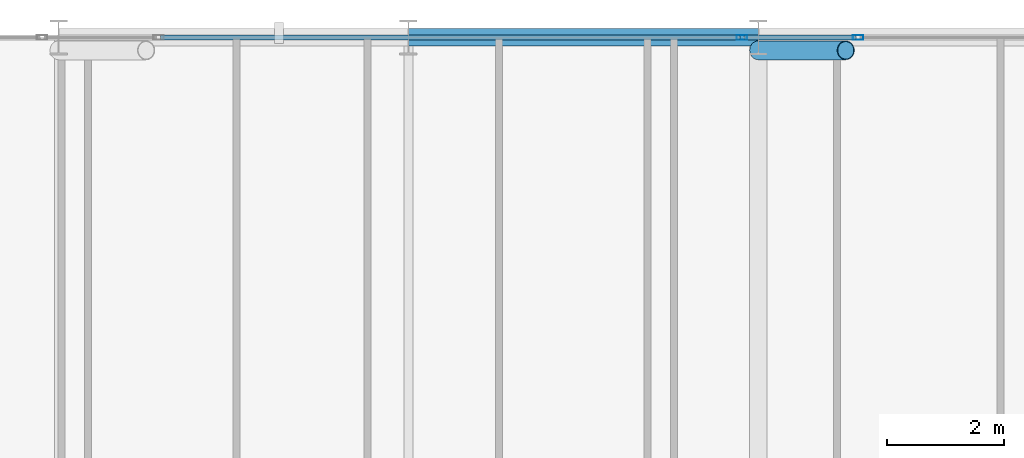
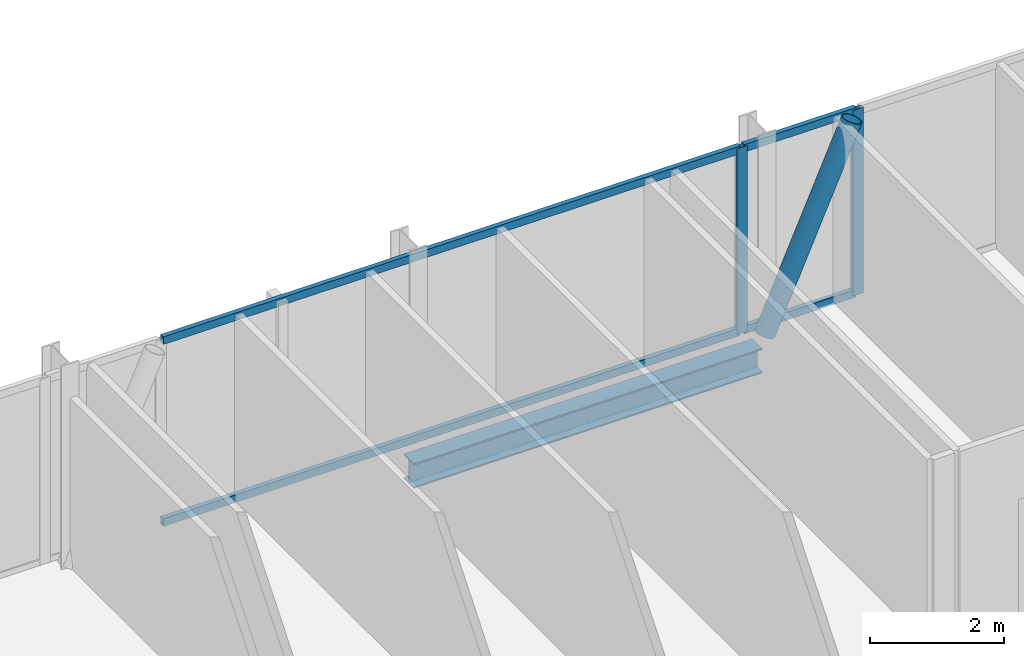
# One storey, part 17 of 30: 7 members, 1 beam, 2 elements without a shape of their own.
"""IFC4 building model written with IfcOpenShell, lengths in metres."""

from ifc_helpers import new_model, si_unit, direction, frame, origin, origin_2d, place, context, subcontext, project, spatial, hollow_rectangle, hollow_circle, i_section, extrude, material, layer, layer_set, material_profile, profile_set, type_object, element, aggregate, save


model = new_model("IFC4")

# Units and contexts
model_context = context("Model", 3, precision=1e-05, world=origin(), true_north=direction((0.0, 1.0)))
body_context = subcontext(model_context, "Body", "Model", "MODEL_VIEW")
ifc_project = project(units=[si_unit("LENGTHUNIT", "METRE"), si_unit("AREAUNIT", "SQUARE_METRE"), si_unit("VOLUMEUNIT", "CUBIC_METRE"), si_unit("PLANEANGLEUNIT", "RADIAN"), si_unit("MASSUNIT", "GRAM", prefix="KILO")], contexts=[model_context])

# Site, building, storey
site_placement = place(None, origin())
site = spatial("IfcSite", under=ifc_project, at=site_placement, CompositionType="ELEMENT")
building_placement = place(site_placement, origin())
building = spatial("IfcBuilding", under=site, at=building_placement, Name="Keshet Zoharim Tower", CompositionType="ELEMENT")
storey_placement = place(building_placement, frame((0.0, 0.0, 116.800048828125)))
storey = spatial("IfcBuildingStorey", under=building, at=storey_placement, Name="L28", CompositionType="ELEMENT", Elevation=116.800048828125)

# Beam
ifc_material_1 = material(Name="Steel S355", Category="steel")
ifc_material_profile_1 = material_profile(ifc_material_1, i_section(OverallWidth=0.300048828125, OverallDepth=0.449951171875, WebThickness=0.013916015625, FlangeThickness=0.02587890625, FilletRadius=0.027099609375, at=origin_2d()), Name="HEB450")
ifc_profile_set_1 = profile_set([ifc_material_profile_1], Name="Steel S355")
beam_type = type_object("IfcBeamType", Name="BM-WEB-HB450", PredefinedType="BEAM", material=ifc_profile_set_1)
beam_placement = place(storey_placement, frame((27.0, 53.89990234375, -0.5400390625), z_axis=(1.0, 0.0, 0.0), x_axis=(0.0, 1.0, 0.0)))
element("IfcBeam", 1, at=beam_placement, inside=storey, type_object=beam_type, Name="L28 Primary Girder X-020", PredefinedType="BEAM", context=body_context, shape_type="SweptSolid", body=[
    extrude(i_section(OverallWidth=0.300048828125, OverallDepth=0.449951171875, WebThickness=0.013916015625, FlangeThickness=0.02587890625, FilletRadius=0.027099609375, at=origin_2d()), origin(), (0.0, 0.0, 1.0), 6.0),
])

# Curtain wall, member
ifc_material_2 = material(Name="Aluminium 6063-T6", Category="aluminium")
ifc_layer = layer(ifc_material_2, 0.159912109375)
ifc_layer_set = layer_set([ifc_layer], Name="Aluminium 6063-T6")
curtain_wall_type = type_object("IfcCurtainWallType", Name="CW-SYS-03", PredefinedType="NOTDEFINED", material=ifc_layer_set)
curtain_wall_1_placement = place(storey_placement, origin())
curtain_wall_1 = element("IfcCurtainWall", 2, at=curtain_wall_1_placement, inside=storey, type_object=curtain_wall_type, Name="L28 Unitised Curtain Wall 13 Part 3", PredefinedType="NOTDEFINED")
ifc_material_profile_2 = material_profile(ifc_material_2, hollow_rectangle(XDim=0.080078125, YDim=0.179931640625, WallThickness=0.00439453125, at=origin_2d()), Name="MUL-80x180")
ifc_profile_set_2 = profile_set([ifc_material_profile_2], Name="Aluminium 6063-T6")
member_type_1 = type_object("IfcMemberType", Name="CWM-M18", PredefinedType="MULLION", material=ifc_profile_set_2)
member_1_placement = place(storey_placement, frame((32.717041015625, 53.89990234375, 0.0), z_axis=(0.0, 0.0, 1.0), x_axis=(0.0, 1.0, 0.0)))
member_1 = element("IfcMember", 3, at=member_1_placement, type_object=member_type_1, Name="CW-03 mullion 2", PredefinedType="MULLION", context=body_context, shape_type="SweptSolid", body=[
    extrude(hollow_rectangle(XDim=0.080078125, YDim=0.179931640625, WallThickness=0.00439453125, at=origin_2d()), origin(), (0.0, 0.0, 1.0), 3.3798828125),
])

curtain_wall_2_placement = place(storey_placement, origin())
curtain_wall_2 = element("IfcCurtainWall", 4, at=curtain_wall_2_placement, inside=storey, type_object=curtain_wall_type, Name="L28 Unitised Curtain Wall 13 Part 4", PredefinedType="NOTDEFINED")
member_2_placement = place(storey_placement, frame((34.712890625, 53.89990234375, 0.0), z_axis=(0.0, 0.0, 1.0), x_axis=(0.0, 1.0, 0.0)))
member_2 = element("IfcMember", 5, at=member_2_placement, type_object=member_type_1, Name="CW-03 mullion 2", PredefinedType="MULLION", context=body_context, shape_type="SweptSolid", body=[
    extrude(hollow_rectangle(XDim=0.080078125, YDim=0.179931640625, WallThickness=0.00439453125, at=origin_2d()), origin(), (0.0, 0.0, 1.0), 3.3798828125),
])

# Member
ifc_material_profile_3 = material_profile(ifc_material_2, hollow_rectangle(XDim=0.080078125, YDim=0.139892578125, WallThickness=0.00390625, at=origin_2d()), Name="TRN-80x140")
ifc_profile_set_3 = profile_set([ifc_material_profile_3], Name="Aluminium 6063-T6")
member_type_2 = type_object("IfcMemberType", Name="CWT-T14", PredefinedType="USERDEFINED", material=ifc_profile_set_3)
member_3_placement = place(storey_placement, frame((22.748046875, 53.89990234375, 0.034912109375), z_axis=(1.0, 0.0, 0.0), x_axis=(0.0, 1.0, 0.0)))
member_3 = element("IfcMember", 6, at=member_3_placement, type_object=member_type_2, Name="CW-03 transom 1.1", ObjectType="TRANSOM", PredefinedType="USERDEFINED", context=body_context, shape_type="SweptSolid", body=[
    extrude(hollow_rectangle(XDim=0.080078125, YDim=0.139892578125, WallThickness=0.00390625, at=origin_2d()), origin(), (0.0, 0.0, 1.0), 9.933837890625),
])

member_4_placement = place(storey_placement, frame((22.748046875, 53.89990234375, 3.344970703125), z_axis=(1.0, 0.0, 0.0), x_axis=(0.0, 1.0, 0.0)))
member_4 = element("IfcMember", 7, at=member_4_placement, type_object=member_type_2, Name="CW-03 transom 1.2", ObjectType="TRANSOM", PredefinedType="USERDEFINED", context=body_context, shape_type="SweptSolid", body=[
    extrude(hollow_rectangle(XDim=0.080078125, YDim=0.139892578125, WallThickness=0.00390625, at=origin_2d()), origin(), (0.0, 0.0, 1.0), 9.933837890625),
])

aggregate(curtain_wall_1, [member_1, member_3, member_4])

member_5_placement = place(storey_placement, frame((32.751953125, 53.89990234375, 0.034912109375), z_axis=(1.0, 0.0, 0.0), x_axis=(0.0, 1.0, 0.0)))
member_5 = element("IfcMember", 8, at=member_5_placement, type_object=member_type_2, Name="CW-03 transom 1.1", ObjectType="TRANSOM", PredefinedType="USERDEFINED", context=body_context, shape_type="SweptSolid", body=[
    extrude(hollow_rectangle(XDim=0.080078125, YDim=0.139892578125, WallThickness=0.00390625, at=origin_2d()), origin(), (0.0, 0.0, 1.0), 1.926025390625),
])

member_6_placement = place(storey_placement, frame((32.751953125, 53.89990234375, 3.344970703125), z_axis=(1.0, 0.0, 0.0), x_axis=(0.0, 1.0, 0.0)))
member_6 = element("IfcMember", 9, at=member_6_placement, type_object=member_type_2, Name="CW-03 transom 1.2", ObjectType="TRANSOM", PredefinedType="USERDEFINED", context=body_context, shape_type="SweptSolid", body=[
    extrude(hollow_rectangle(XDim=0.080078125, YDim=0.139892578125, WallThickness=0.00390625, at=origin_2d()), origin(), (0.0, 0.0, 1.0), 1.926025390625),
])

aggregate(curtain_wall_2, [member_2, member_5, member_6])

ifc_material_profile_4 = material_profile(ifc_material_1, hollow_circle(Radius=0.161865234375, WallThickness=0.012451171875, at=origin_2d()), Name="CHS323x12.5")
ifc_profile_set_4 = profile_set([ifc_material_profile_4], Name="Steel S355")
member_type_3 = type_object("IfcMemberType", Name="MB-BR-C323", PredefinedType="BRACE", material=ifc_profile_set_4)
member_7_placement = place(storey_placement, frame((33.0, 53.679931640625, 0.0), z_axis=(0.405648336366, 0.0, 0.914029226668), x_axis=(0.0, 1.0, 0.0)))
element("IfcMember", 10, at=member_7_placement, inside=storey, type_object=member_type_3, Name="L28 Perimeter Tube Brace 03", PredefinedType="BRACE", context=body_context, shape_type="SweptSolid", body=[
    extrude(hollow_circle(Radius=0.161865234375, WallThickness=0.012451171875, at=origin_2d()), origin(), (0.0, 0.0, 1.0), 3.69775390625),
])

save(model, "model.ifc")
